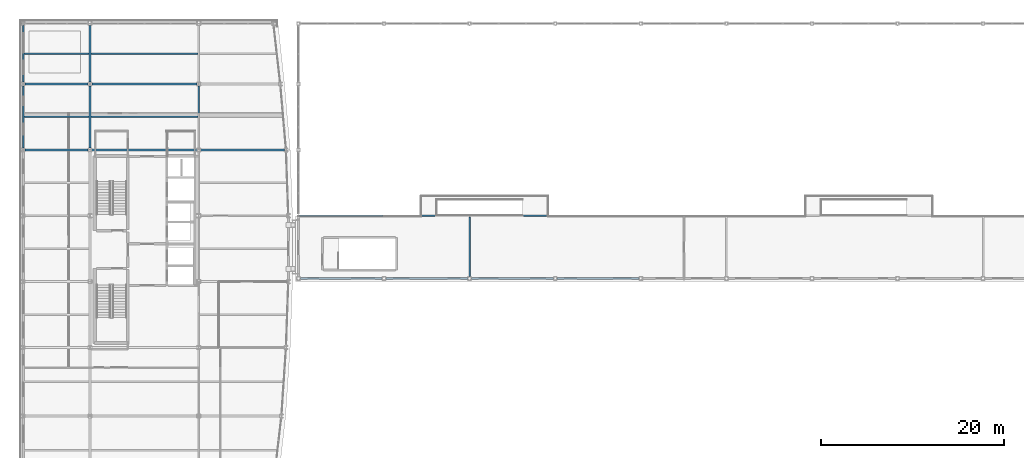
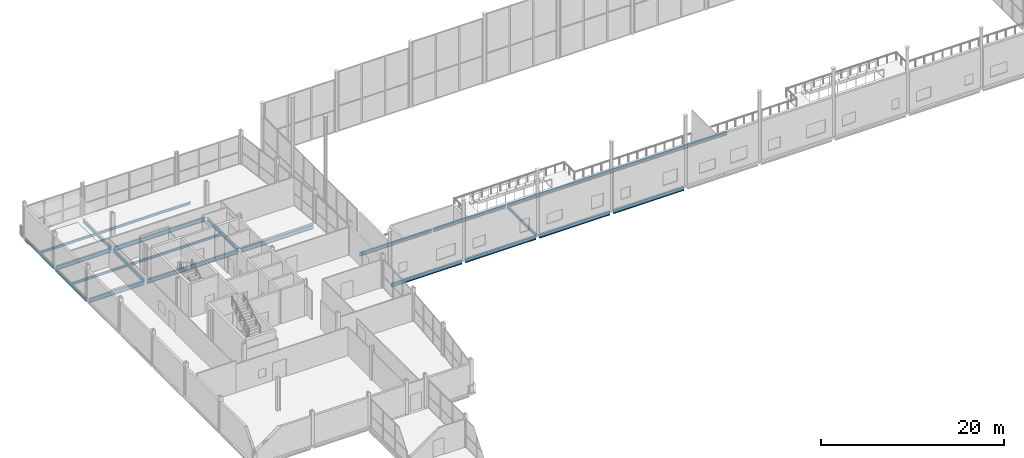
# One storey, part 33 of 77: 22 beams.
"""IFC4 building model written with IfcOpenShell, lengths in metres."""

from ifc_helpers import new_model, si_unit, direction, frame, origin, origin_2d, place, context, subcontext, project, spatial, i_section, extrude, material, material_profile, profile_set, type_object, element, save


model = new_model("IFC4")

# Units and contexts
model_context = context("Model", 3, precision=1e-05, world=origin(), true_north=direction((0.0, 1.0)))
body_context = subcontext(model_context, "Body", "Model", "MODEL_VIEW")
ifc_project = project(units=[si_unit("LENGTHUNIT", "METRE"), si_unit("AREAUNIT", "SQUARE_METRE"), si_unit("VOLUMEUNIT", "CUBIC_METRE"), si_unit("PLANEANGLEUNIT", "RADIAN"), si_unit("MASSUNIT", "GRAM", prefix="KILO")], contexts=[model_context])

# Site, building, storey
site_placement = place(None, origin())
site = spatial("IfcSite", under=ifc_project, at=site_placement, CompositionType="ELEMENT")
building_placement = place(site_placement, origin())
building = spatial("IfcBuilding", under=site, at=building_placement, Name="Quillay Park Conservatory", CompositionType="ELEMENT")
storey_placement = place(building_placement, frame((0.0, 0.0, 5.39990234375)))
storey = spatial("IfcBuildingStorey", under=building, at=storey_placement, Name="L01", CompositionType="ELEMENT", Elevation=5.39990234375)

# Beams
ifc_material_1 = material(Name="Steel ASTM A992 Grade 50", Category="steel")
ifc_material_profile_1 = material_profile(ifc_material_1, i_section(OverallWidth=0.166015625, OverallDepth=0.31298828125, WebThickness=0.006591796875, FlangeThickness=0.01123046875, FilletRadius=0.010009765625, at=origin_2d()), Name="W310x45")
ifc_profile_set_1 = profile_set([ifc_material_profile_1], Name="Steel ASTM A992 Grade 50")
beam_type_1 = type_object("IfcBeamType", Name="COMPOSITE FLOOR JOIST W310 X45", PredefinedType="JOIST", material=ifc_profile_set_1)
beam_1_placement = place(storey_placement, frame((0.639892578125, 103.199951171875, -0.3564453125), z_axis=(1.0, 0.0, 0.0), x_axis=(0.0, 1.0, 0.0)))
element("IfcBeam", 1, at=beam_1_placement, inside=storey, type_object=beam_type_1, Name="L01 beam BM-J-0166", PredefinedType="JOIST", context=body_context, shape_type="SweptSolid", body=[
    extrude(i_section(OverallWidth=0.166015625, OverallDepth=0.31298828125, WebThickness=0.006591796875, FlangeThickness=0.01123046875, FilletRadius=0.010009765625, at=origin_2d()), origin(), (0.0, 0.0, 1.0), 7.114013671875),
])
beam_2_placement = place(storey_placement, frame((7.946044921875, 103.199951171875, -0.3564453125), z_axis=(1.0, 0.0, 0.0), x_axis=(0.0, 1.0, 0.0)))
element("IfcBeam", 2, at=beam_2_placement, inside=storey, type_object=beam_type_1, Name="L01 beam BM-J-0168", PredefinedType="JOIST", context=body_context, shape_type="SweptSolid", body=[
    extrude(i_section(OverallWidth=0.166015625, OverallDepth=0.31298828125, WebThickness=0.006591796875, FlangeThickness=0.01123046875, FilletRadius=0.010009765625, at=origin_2d()), origin(), (0.0, 0.0, 1.0), 11.7080078125),
])
beam_3_placement = place(storey_placement, frame((0.639892578125, 110.10009765625, -0.3564453125), z_axis=(1.0, 0.0, 0.0), x_axis=(0.0, 1.0, 0.0)))
element("IfcBeam", 3, at=beam_3_placement, inside=storey, type_object=beam_type_1, Name="L01 beam BM-J-0173", PredefinedType="JOIST", context=body_context, shape_type="SweptSolid", body=[
    extrude(i_section(OverallWidth=0.166015625, OverallDepth=0.31298828125, WebThickness=0.006591796875, FlangeThickness=0.01123046875, FilletRadius=0.010009765625, at=origin_2d()), origin(), (0.0, 0.0, 1.0), 7.114013671875),
])
beam_4_placement = place(storey_placement, frame((7.946044921875, 110.10009765625, -0.3564453125), z_axis=(1.0, 0.0, 0.0), x_axis=(0.0, 1.0, 0.0)))
element("IfcBeam", 4, at=beam_4_placement, inside=storey, type_object=beam_type_1, Name="L01 beam BM-J-0175", PredefinedType="JOIST", context=body_context, shape_type="SweptSolid", body=[
    extrude(i_section(OverallWidth=0.166015625, OverallDepth=0.31298828125, WebThickness=0.006591796875, FlangeThickness=0.01123046875, FilletRadius=0.010009765625, at=origin_2d()), origin(), (0.0, 0.0, 1.0), 11.7080078125),
])
ifc_material_2 = material(Name="Steel ASTM A992 Grade 50", Category="steel")
ifc_material_profile_2 = material_profile(ifc_material_2, i_section(OverallWidth=0.172119140625, OverallDepth=0.35791015625, WebThickness=0.0078125, FlangeThickness=0.01318359375, FilletRadius=0.010986328125, at=origin_2d()), Name="W360x57")
ifc_profile_set_2 = profile_set([ifc_material_profile_2], Name="Steel ASTM A992 Grade 50")
beam_type_2 = type_object("IfcBeamType", Name="COMPOSITE FLOOR JOIST W360 X57", PredefinedType="JOIST", material=ifc_profile_set_2)
beam_5_placement = place(storey_placement, frame((49.361083984375, 85.7529296875, -0.388916015625), z_axis=(0.0, 1.0, 0.0), x_axis=(-1.0, 0.0, 0.0)))
element("IfcBeam", 5, at=beam_5_placement, inside=storey, type_object=beam_type_2, Name="L01 beam BM-V1WKT-1664", PredefinedType="JOIST", context=body_context, shape_type="SweptSolid", body=[
    extrude(i_section(OverallWidth=0.172119140625, OverallDepth=0.35791015625, WebThickness=0.0078125, FlangeThickness=0.01318359375, FilletRadius=0.010986328125, at=origin_2d()), origin(), (0.0, 0.0, 1.0), 6.51708984375),
])
ifc_material_3 = material(Name="Steel ASTM A992 Grade 50", Category="steel")
ifc_material_profile_3 = material_profile(ifc_material_3, i_section(OverallWidth=0.179931640625, OverallDepth=0.4130859375, WebThickness=0.009765625, FlangeThickness=0.01611328125, FilletRadius=0.011962890625, at=origin_2d()), Name="W410x74")
ifc_profile_set_3 = profile_set([ifc_material_profile_3], Name="Steel ASTM A992 Grade 50")
beam_type_3 = type_object("IfcBeamType", Name="PERIMETER SPANDREL BEAM W410 X74", PredefinedType="SPANDREL", material=ifc_profile_set_3)
beam_6_placement = place(storey_placement, frame((0.550048828125, 99.79638671875, -0.406494140625), z_axis=(0.0, 1.0, 0.0), x_axis=(-1.0, 0.0, 0.0)))
element("IfcBeam", 6, at=beam_6_placement, inside=storey, type_object=beam_type_3, Name="L01 beam BM-SPW-0162", PredefinedType="SPANDREL", context=body_context, shape_type="SweptSolid", body=[
    extrude(i_section(OverallWidth=0.179931640625, OverallDepth=0.4130859375, WebThickness=0.009765625, FlangeThickness=0.01611328125, FilletRadius=0.011962890625, at=origin_2d()), origin(), (0.0, 0.0, 1.0), 6.80712890625),
])
beam_7_placement = place(storey_placement, frame((0.550048828125, 106.99658203125, -0.406494140625), z_axis=(0.0, 1.0, 0.0), x_axis=(-1.0, 0.0, 0.0)))
element("IfcBeam", 7, at=beam_7_placement, inside=storey, type_object=beam_type_3, Name="L01 beam BM-SPW-0169", PredefinedType="SPANDREL", context=body_context, shape_type="SweptSolid", body=[
    extrude(i_section(OverallWidth=0.179931640625, OverallDepth=0.4130859375, WebThickness=0.009765625, FlangeThickness=0.01611328125, FilletRadius=0.011962890625, at=origin_2d()), origin(), (0.0, 0.0, 1.0), 6.20703125),
])
ifc_material_4 = material(Name="Steel ASTM A992 Grade 50", Category="steel")
ifc_material_profile_4 = material_profile(ifc_material_4, i_section(OverallWidth=0.19189453125, OverallDepth=0.462890625, WebThickness=0.010498046875, FlangeThickness=0.017578125, FilletRadius=0.012939453125, at=origin_2d()), Name="W460x89")
ifc_profile_set_4 = profile_set([ifc_material_profile_4], Name="Steel ASTM A992 Grade 50")
beam_type_4 = type_object("IfcBeamType", Name="PRIMARY FLOOR GIRDER W460 X89", PredefinedType="BEAM", material=ifc_profile_set_4)
for number, where, z_axis, x_axis, name in (
    (8, (7.85009765625, 99.799560546875, -0.431396484375), (0.0, 1.0, 0.0), (-1.0, 0.0, 0.0), "L01 beam BM-GNS-0164"),
    (9, (19.75, 99.799560546875, -0.431396484375), (0.0, 1.0, 0.0), (-1.0, 0.0, 0.0), "L01 beam BM-GNS-0165"),
):
    element("IfcBeam", number, at=place(storey_placement, frame(where, z_axis=z_axis, x_axis=x_axis)), inside=storey, type_object=beam_type_4, Name=name, PredefinedType="BEAM", context=body_context, shape_type="SweptSolid", body=[
        extrude(i_section(OverallWidth=0.19189453125, OverallDepth=0.462890625, WebThickness=0.010498046875, FlangeThickness=0.017578125, FilletRadius=0.012939453125, at=origin_2d()), origin(), (0.0, 0.0, 1.0), 6.803955078125),
    ])
beam_8_placement = place(storey_placement, frame((7.85009765625, 106.99658203125, -0.431396484375), z_axis=(0.0, 1.0, 0.0), x_axis=(-1.0, 0.0, 0.0)))
element("IfcBeam", 10, at=beam_8_placement, inside=storey, type_object=beam_type_4, Name="L01 beam BM-GNS-0171", PredefinedType="BEAM", context=body_context, shape_type="SweptSolid", body=[
    extrude(i_section(OverallWidth=0.19189453125, OverallDepth=0.462890625, WebThickness=0.010498046875, FlangeThickness=0.017578125, FilletRadius=0.012939453125, at=origin_2d()), origin(), (0.0, 0.0, 1.0), 6.203857421875),
])
beam_9_placement = place(storey_placement, frame((30.85302734375, 85.550048828125, -0.44140625), z_axis=(1.0, 0.0, 0.0), x_axis=(0.0, 1.0, 0.0)))
element("IfcBeam", 11, at=beam_9_placement, inside=storey, type_object=beam_type_4, Name="L01 beam BM-V1WK-1649", PredefinedType="BEAM", context=body_context, shape_type="SweptSolid", body=[
    extrude(i_section(OverallWidth=0.19189453125, OverallDepth=0.462890625, WebThickness=0.010498046875, FlangeThickness=0.017578125, FilletRadius=0.012939453125, at=origin_2d()), origin(), (0.0, 0.0, 1.0), 8.949462890625),
])
beam_10_placement = place(storey_placement, frame((40.20849609375, 85.550048828125, -0.44140625), z_axis=(1.0, 0.0, 0.0), x_axis=(0.0, 1.0, 0.0)))
element("IfcBeam", 12, at=beam_10_placement, inside=storey, type_object=beam_type_4, Name="L01 beam BM-V1WK-1650", PredefinedType="BEAM", context=body_context, shape_type="SweptSolid", body=[
    extrude(i_section(OverallWidth=0.19189453125, OverallDepth=0.462890625, WebThickness=0.010498046875, FlangeThickness=0.017578125, FilletRadius=0.012939453125, at=origin_2d()), origin(), (0.0, 0.0, 1.0), 8.94970703125),
])
for number, where, z_axis, x_axis, name in (
    (13, (49.564208984375, 85.550048828125, -0.44140625), (1.0, 0.0, 0.0), (0.0, 1.0, 0.0), "L01 beam BM-V1WK-1651"),
    (14, (58.919677734375, 85.550048828125, -0.44140625), (1.0, 0.0, 0.0), (0.0, 1.0, 0.0), "L01 beam BM-V1WK-1652"),
):
    element("IfcBeam", number, at=place(storey_placement, frame(where, z_axis=z_axis, x_axis=x_axis)), inside=storey, type_object=beam_type_4, Name=name, PredefinedType="BEAM", context=body_context, shape_type="SweptSolid", body=[
        extrude(i_section(OverallWidth=0.19189453125, OverallDepth=0.462890625, WebThickness=0.010498046875, FlangeThickness=0.017578125, FilletRadius=0.012939453125, at=origin_2d()), origin(), (0.0, 0.0, 1.0), 8.949462890625),
    ])
beam_11_placement = place(storey_placement, frame((30.780029296875, 92.39990234375, -0.44140625), z_axis=(1.0, 0.0, 0.0), x_axis=(0.0, 1.0, 0.0)))
element("IfcBeam", 15, at=beam_11_placement, inside=storey, type_object=beam_type_4, Name="L01 beam BM-V1WK-1658", PredefinedType="BEAM", context=body_context, shape_type="SweptSolid", body=[
    extrude(i_section(OverallWidth=0.19189453125, OverallDepth=0.462890625, WebThickness=0.010498046875, FlangeThickness=0.017578125, FilletRadius=0.012939453125, at=origin_2d()), origin(), (0.0, 0.0, 1.0), 9.095458984375),
])
beam_12_placement = place(storey_placement, frame((40.135498046875, 92.39990234375, -0.44140625), z_axis=(1.0, 0.0, 0.0), x_axis=(0.0, 1.0, 0.0)))
element("IfcBeam", 16, at=beam_12_placement, inside=storey, type_object=beam_type_4, Name="L01 beam BM-V1WK-1659", PredefinedType="BEAM", context=body_context, shape_type="SweptSolid", body=[
    extrude(i_section(OverallWidth=0.19189453125, OverallDepth=0.462890625, WebThickness=0.010498046875, FlangeThickness=0.017578125, FilletRadius=0.012939453125, at=origin_2d()), origin(), (0.0, 0.0, 1.0), 9.095703125),
])
beam_13_placement = place(storey_placement, frame((49.4912109375, 92.39990234375, -0.44140625), z_axis=(1.0, 0.0, 0.0), x_axis=(0.0, 1.0, 0.0)))
element("IfcBeam", 17, at=beam_13_placement, inside=storey, type_object=beam_type_4, Name="L01 beam BM-V1WK-1660", PredefinedType="BEAM", context=body_context, shape_type="SweptSolid", body=[
    extrude(i_section(OverallWidth=0.19189453125, OverallDepth=0.462890625, WebThickness=0.010498046875, FlangeThickness=0.017578125, FilletRadius=0.012939453125, at=origin_2d()), origin(), (0.0, 0.0, 1.0), 27.806640625),
])
ifc_material_5 = material(Name="Steel ASTM A992 Grade 50", Category="steel")
ifc_material_profile_5 = material_profile(ifc_material_5, i_section(OverallWidth=0.2109375, OverallDepth=0.5390625, WebThickness=0.01171875, FlangeThickness=0.018798828125, FilletRadius=0.013916015625, at=origin_2d()), Name="W530x109")
ifc_profile_set_5 = profile_set([ifc_material_profile_5], Name="Steel ASTM A992 Grade 50")
beam_type_5 = type_object("IfcBeamType", Name="PRIMARY FLOOR GIRDER W530 X109", PredefinedType="BEAM", material=ifc_profile_set_5)
beam_14_placement = place(storey_placement, frame((0.74951171875, 99.60009765625, -0.469482421875), z_axis=(1.0, 0.0, 0.0), x_axis=(0.0, 1.0, 0.0)))
element("IfcBeam", 18, at=beam_14_placement, inside=storey, type_object=beam_type_5, Name="L01 beam BM-G-0121", PredefinedType="BEAM", context=body_context, shape_type="SweptSolid", body=[
    extrude(i_section(OverallWidth=0.2109375, OverallDepth=0.5390625, WebThickness=0.01171875, FlangeThickness=0.018798828125, FilletRadius=0.013916015625, at=origin_2d()), origin(), (0.0, 0.0, 1.0), 6.904052734375),
])
beam_15_placement = place(storey_placement, frame((8.04638671875, 99.60009765625, -0.469482421875), z_axis=(1.0, 0.0, 0.0), x_axis=(0.0, 1.0, 0.0)))
element("IfcBeam", 19, at=beam_15_placement, inside=storey, type_object=beam_type_5, Name="L01 beam BM-G-0122", PredefinedType="BEAM", context=body_context, shape_type="SweptSolid", body=[
    extrude(i_section(OverallWidth=0.2109375, OverallDepth=0.5390625, WebThickness=0.01171875, FlangeThickness=0.018798828125, FilletRadius=0.013916015625, at=origin_2d()), origin(), (0.0, 0.0, 1.0), 11.507080078125),
])
beam_16_placement = place(storey_placement, frame((19.946533203125, 99.60009765625, -0.469482421875), z_axis=(1.0, 0.0, 0.0), x_axis=(0.0, 1.0, 0.0)))
element("IfcBeam", 20, at=beam_16_placement, inside=storey, type_object=beam_type_5, Name="L01 beam BM-G-0123", PredefinedType="BEAM", context=body_context, shape_type="SweptSolid", body=[
    extrude(i_section(OverallWidth=0.2109375, OverallDepth=0.5390625, WebThickness=0.01171875, FlangeThickness=0.018798828125, FilletRadius=0.013916015625, at=origin_2d()), origin(), (0.0, 0.0, 1.0), 9.154052734375),
])
beam_17_placement = place(storey_placement, frame((0.74951171875, 106.800048828125, -0.469482421875), z_axis=(1.0, 0.0, 0.0), x_axis=(0.0, 1.0, 0.0)))
element("IfcBeam", 21, at=beam_17_placement, inside=storey, type_object=beam_type_5, Name="L01 beam BM-G-0124", PredefinedType="BEAM", context=body_context, shape_type="SweptSolid", body=[
    extrude(i_section(OverallWidth=0.2109375, OverallDepth=0.5390625, WebThickness=0.01171875, FlangeThickness=0.018798828125, FilletRadius=0.013916015625, at=origin_2d()), origin(), (0.0, 0.0, 1.0), 6.90087890625),
])
beam_18_placement = place(storey_placement, frame((8.049560546875, 106.800048828125, -0.469482421875), z_axis=(1.0, 0.0, 0.0), x_axis=(0.0, 1.0, 0.0)))
element("IfcBeam", 22, at=beam_18_placement, inside=storey, type_object=beam_type_5, Name="L01 beam BM-G-0125", PredefinedType="BEAM", context=body_context, shape_type="SweptSolid", body=[
    extrude(i_section(OverallWidth=0.2109375, OverallDepth=0.5390625, WebThickness=0.01171875, FlangeThickness=0.018798828125, FilletRadius=0.013916015625, at=origin_2d()), origin(), (0.0, 0.0, 1.0), 11.5009765625),
])

save(model, "model.ifc")
